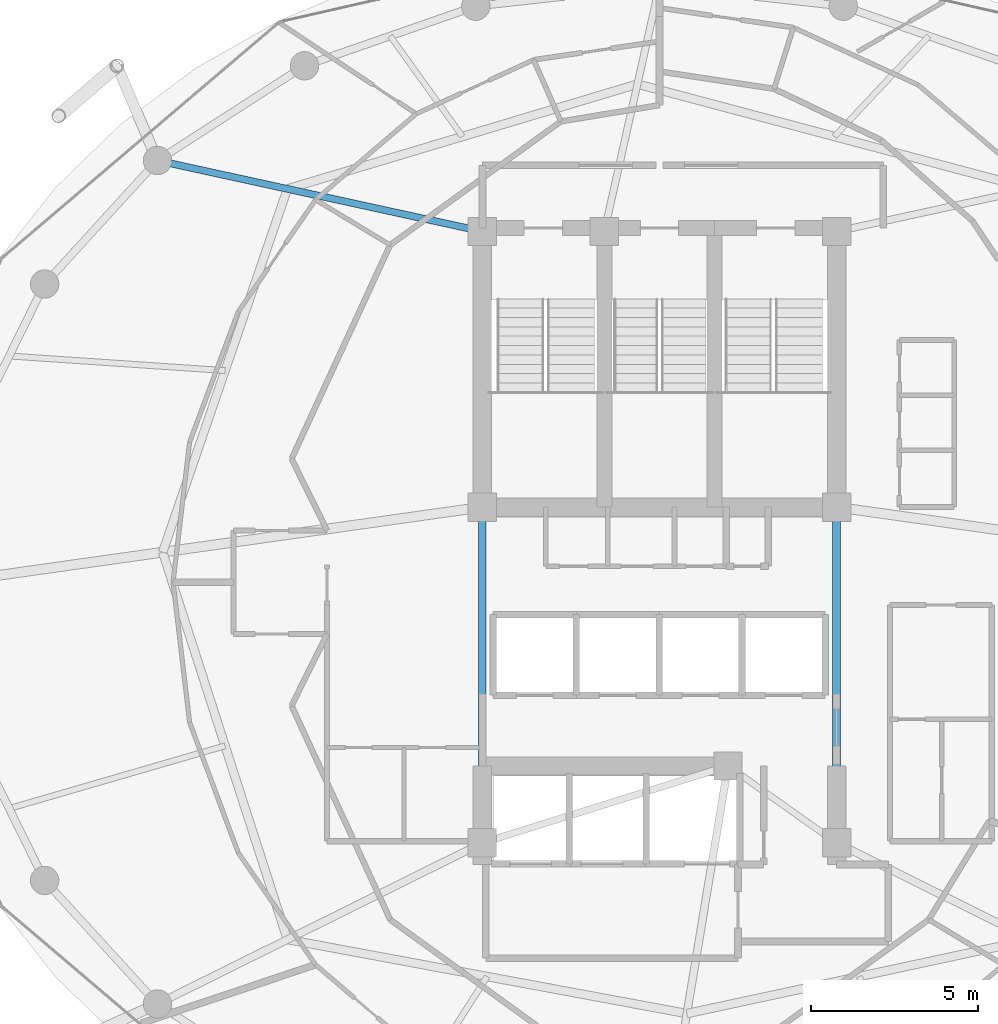
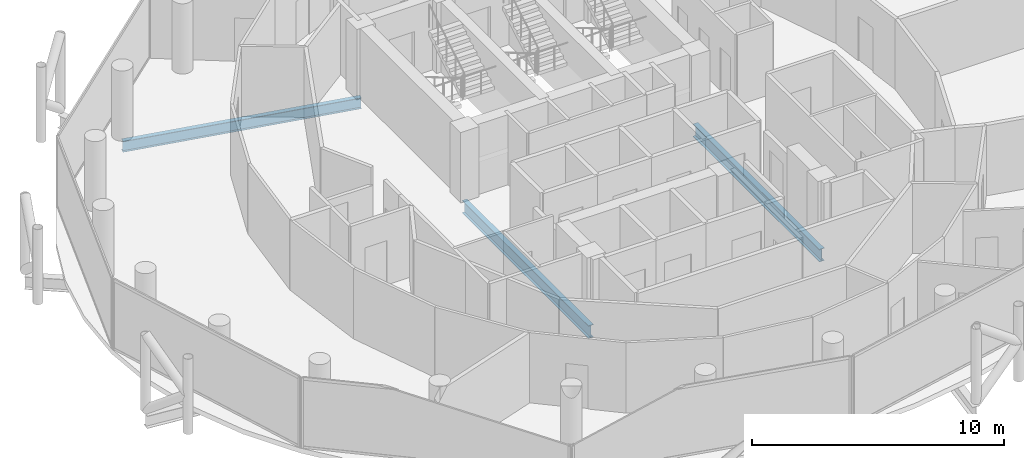
# One storey, part 10 of 27: 3 beams.
"""IFC4 building model written with IfcOpenShell, lengths in metres."""

from ifc_helpers import new_model, si_unit, direction, frame, origin, origin_2d, place, context, subcontext, project, spatial, i_section, extrude, material, material_profile, profile_set, type_object, element, save


model = new_model("IFC4")

# Units and contexts
model_context = context("Model", 3, precision=1e-05, world=origin(), true_north=direction((0.0, 1.0)))
body_context = subcontext(model_context, "Body", "Model", "MODEL_VIEW")
ifc_project = project(units=[si_unit("LENGTHUNIT", "METRE"), si_unit("AREAUNIT", "SQUARE_METRE"), si_unit("VOLUMEUNIT", "CUBIC_METRE"), si_unit("PLANEANGLEUNIT", "RADIAN"), si_unit("MASSUNIT", "GRAM", prefix="KILO")], contexts=[model_context])

# Site, building, storey
site_placement = place(None, origin())
site = spatial("IfcSite", under=ifc_project, at=site_placement, CompositionType="ELEMENT")
building_placement = place(site_placement, origin())
building = spatial("IfcBuilding", under=site, at=building_placement, Name="Nuhasar Tower", CompositionType="ELEMENT")
storey_placement = place(building_placement, frame((0.0, 0.0, 230.050048828125)))
storey = spatial("IfcBuildingStorey", under=building, at=storey_placement, Name="L56", CompositionType="ELEMENT", Elevation=230.050048828125)

# Beams
ifc_material = material(Name="Steel S355", Category="steel")
ifc_material_profile_1 = material_profile(ifc_material, i_section(OverallWidth=0.208984375, OverallDepth=0.528076171875, WebThickness=0.009521484375, FlangeThickness=0.01318359375, at=origin_2d()), Name="W21X55")
ifc_profile_set_1 = profile_set([ifc_material_profile_1], Name="Steel S355")
beam_type_1 = type_object("IfcBeamType", Name="BM-RAD-W21X55", PredefinedType="BEAM", material=ifc_profile_set_1)
beam_placement = place(storey_placement, frame((33.699951171875, 37.300048828125, -0.504150390625), z_axis=(-0.977014275474, 0.213173885644, 0.0), x_axis=(-0.213173885644, -0.977014275474, 0.0)))
element("IfcBeam", 1, at=beam_placement, inside=storey, type_object=beam_type_1, Name="L56 Radial Floor Girder 07", PredefinedType="BEAM", context=body_context, shape_type="SweptSolid", body=[
    extrude(i_section(OverallWidth=0.208984375, OverallDepth=0.528076171875, WebThickness=0.009521484375, FlangeThickness=0.01318359375, at=origin_2d()), origin(), (0.0, 0.0, 1.0), 9.95458984375),
])
ifc_material_profile_2 = material_profile(ifc_material, i_section(OverallWidth=0.22900390625, OverallDepth=0.612060546875, WebThickness=0.011962890625, FlangeThickness=0.01953125, at=origin_2d()), Name="W24X84")
ifc_profile_set_2 = profile_set([ifc_material_profile_2], Name="Steel S355")
beam_type_2 = type_object("IfcBeamType", Name="BM-RAD-W24X84", PredefinedType="BEAM", material=ifc_profile_set_2)
for number, where, z_axis, x_axis, name in (
    (2, (44.300048828125, 19.0, -0.546142578125), (0.0, 1.0, 0.0), (-1.0, 0.0, 0.0), "L56 Core Ring Girder 3"),
    (3, (33.699951171875, 29.050048828125, -0.546142578125), (0.0, -1.0, 0.0), (1.0, 0.0, 0.0), "L56 Core Ring Girder 8"),
):
    element("IfcBeam", number, at=place(storey_placement, frame(where, z_axis=z_axis, x_axis=x_axis)), inside=storey, type_object=beam_type_2, Name=name, PredefinedType="BEAM", context=body_context, shape_type="SweptSolid", body=[
        extrude(i_section(OverallWidth=0.22900390625, OverallDepth=0.612060546875, WebThickness=0.011962890625, FlangeThickness=0.01953125, at=origin_2d()), origin(), (0.0, 0.0, 1.0), 10.050048828125),
    ])

save(model, "model.ifc")
